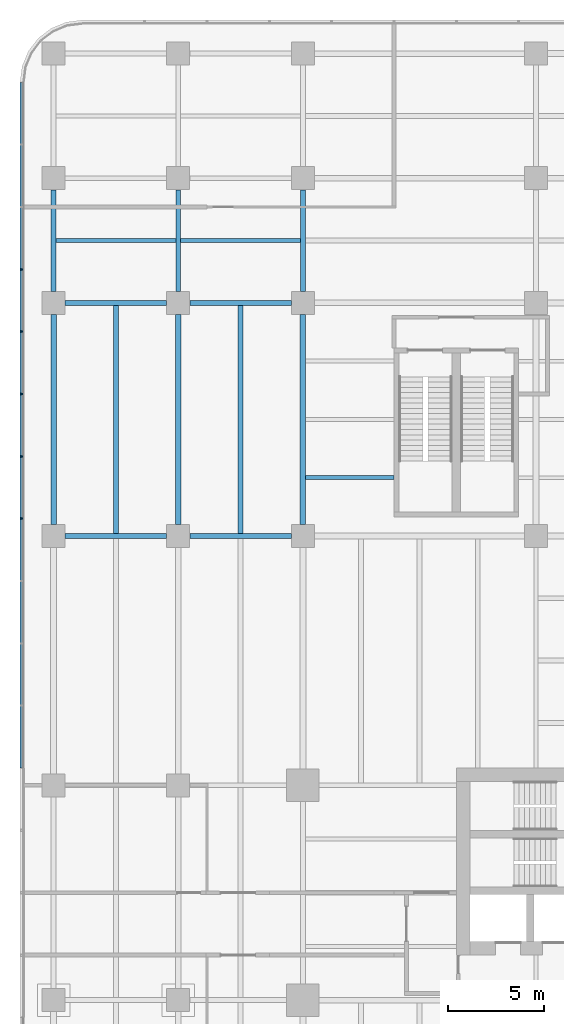
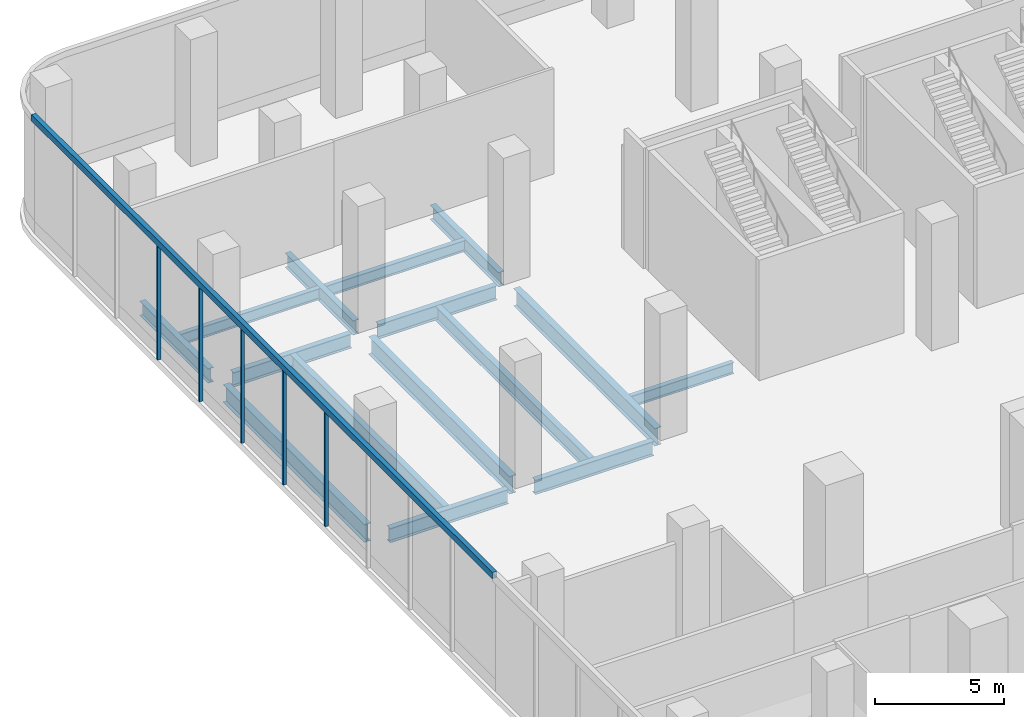
# One storey, part 19 of 41: 15 beams, 6 members, 1 element without a shape of its own.
"""IFC4 building model written with IfcOpenShell, lengths in metres."""

from ifc_helpers import new_model, si_unit, direction, frame, origin, origin_2d, place, context, subcontext, project, spatial, polyline, rectangle, i_section, outline, extrude, source, transform, mapped, material, layer, layer_set, material_profile, profile_set, type_object, element, aggregate, save


model = new_model("IFC4")

# Units and contexts
model_context = context("Model", 3, precision=1e-05, world=origin(), true_north=direction((0.0, 1.0)))
body_context = subcontext(model_context, "Body", "Model", "MODEL_VIEW")
ifc_project = project(units=[si_unit("LENGTHUNIT", "METRE"), si_unit("AREAUNIT", "SQUARE_METRE"), si_unit("VOLUMEUNIT", "CUBIC_METRE"), si_unit("PLANEANGLEUNIT", "RADIAN"), si_unit("MASSUNIT", "GRAM", prefix="KILO")], contexts=[model_context])

# Site, building, storey
site_placement = place(None, origin())
site = spatial("IfcSite", under=ifc_project, at=site_placement, CompositionType="ELEMENT")
building_placement = place(site_placement, origin())
building = spatial("IfcBuilding", under=site, at=building_placement, Name="Trellis Farm Tower", CompositionType="ELEMENT")
storey_placement = place(building_placement, frame((0.0, 0.0, 8.0)))
storey = spatial("IfcBuildingStorey", under=building, at=storey_placement, Name="L01", CompositionType="ELEMENT", Elevation=8.0)

# Curtain wall, member
ifc_material_1 = material(Name="Aluminium and glass curtain wall", Category="aluminium")
ifc_layer_1 = layer(ifc_material_1, 0.201904296875)
ifc_layer_set_1 = layer_set([ifc_layer_1], Name="SHOPFRONT CURTAIN WALL CW2")
curtain_wall_type = type_object("IfcCurtainWallType", Name="SHOPFRONT CURTAIN WALL CW2", PredefinedType="NOTDEFINED", material=ifc_layer_set_1)
curtain_wall_placement = place(storey_placement, origin())
curtain_wall = element("IfcCurtainWall", 1, at=curtain_wall_placement, inside=storey, type_object=curtain_wall_type, Name="CW2 005", PredefinedType="NOTDEFINED")
ifc_material_2 = material(Name="Aluminium extrusion 6063-T6", Category="aluminium")
ifc_layer_2 = layer(ifc_material_2, 0.205078125)
ifc_layer_set_2 = layer_set([ifc_layer_2], Name="Aluminium extrusion 6063-T6")
member_type_1 = type_object("IfcMemberType", Name="CW2 TRANSOM 205x300", PredefinedType="USERDEFINED", material=ifc_layer_set_2)
member_1_placement = place(storey_placement, frame((0.0, 0.0, 5.39990234375)))
member_1 = element("IfcMember", 2, at=member_1_placement, type_object=member_type_1, Name="TR2 005", ObjectType="TRANSOM", PredefinedType="USERDEFINED", context=body_context, shape_type="SweptSolid", body=[
    extrude(outline(polyline([(-45.5, 42.25), (-45.5, 6.5), (-45.294921875, 6.5), (-45.294921875, 42.236572265625), (-45.5, 42.25)])), origin(), (0.0, 0.0, 1.0), 0.300048828125),
])

# Beams
ifc_material_3 = material(Name="Steel S355", Category="steel")
ifc_material_profile_1 = material_profile(ifc_material_3, i_section(OverallWidth=0.253662109375, OverallDepth=0.68359375, WebThickness=0.012451171875, FlangeThickness=0.021728515625, FilletRadius=0.01513671875, at=origin_2d()), Name="UB 686x254x140")
ifc_profile_set_1 = profile_set([ifc_material_profile_1], Name="Steel S355")
beam_type_1 = type_object("IfcBeamType", Name="UB 686x254x140", PredefinedType="BEAM", material=ifc_profile_set_1)
shared_shape_1 = source(origin(), body_context, "Body", "SweptSolid", [
    extrude(i_section(OverallWidth=0.253662109375, OverallDepth=0.68359375, WebThickness=0.012451171875, FlangeThickness=0.021728515625, FilletRadius=0.01513671875, at=origin_2d()), origin(), (0.0, 0.0, 1.0), 5.2998046875),
])
for number, where, z_axis, x_axis, name in (
    (3, (-43.14990234375, 18.60009765625, -0.641845703125), (1.0, 0.0, 0.0), (0.0, 1.0, 0.0), "Girder"),
    (4, (-36.64990234375, 18.60009765625, -0.641845703125), (1.0, 0.0, 0.0), (0.0, 1.0, 0.0), "Girder"),
    (5, (-43.14990234375, 30.75, -0.641845703125), (1.0, 0.0, 0.0), (0.0, 1.0, 0.0), "Girder"),
    (6, (-36.64990234375, 30.75, -0.641845703125), (1.0, 0.0, 0.0), (0.0, 1.0, 0.0), "Girder"),
    (7, (-43.75, 31.35009765625, -0.641845703125), (0.0, 1.0, 0.0), (-1.0, 0.0, 0.0), "Girder"),
    (8, (-37.25, 31.35009765625, -0.641845703125), (0.0, 1.0, 0.0), (-1.0, 0.0, 0.0), "Girder"),
    (9, (-30.75, 31.35009765625, -0.641845703125), (0.0, 1.0, 0.0), (-1.0, 0.0, 0.0), "Girder"),
):
    element("IfcBeam", number, at=place(storey_placement, frame(where, z_axis=z_axis, x_axis=x_axis)), inside=storey, type_object=beam_type_1, Name=name, PredefinedType="BEAM", context=body_context, shape_type="MappedRepresentation", body=[
        mapped(shared_shape_1, transform((0.0, 0.0, 0.0))),
    ])
ifc_material_profile_2 = material_profile(ifc_material_3, i_section(OverallWidth=0.29248046875, OverallDepth=0.8408203125, WebThickness=0.0146484375, FlangeThickness=0.021728515625, FilletRadius=0.017822265625, at=origin_2d()), Name="UB 838x292x194")
ifc_profile_set_2 = profile_set([ifc_material_profile_2], Name="Steel S355")
beam_type_2 = type_object("IfcBeamType", Name="UB 838x292x194", PredefinedType="BEAM", material=ifc_profile_set_2)
shared_shape_2 = source(origin(), body_context, "Body", "SweptSolid", [
    extrude(i_section(OverallWidth=0.29248046875, OverallDepth=0.8408203125, WebThickness=0.0146484375, FlangeThickness=0.021728515625, FilletRadius=0.017822265625, at=origin_2d()), origin(), (0.0, 0.0, 1.0), 10.949951171875),
])
for number, where, z_axis, x_axis, name in (
    (10, (-43.75, 19.199951171875, -0.72021484375), (0.0, 1.0, 0.0), (-1.0, 0.0, 0.0), "Girder"),
    (11, (-37.25, 19.199951171875, -0.72021484375), (0.0, 1.0, 0.0), (-1.0, 0.0, 0.0), "Girder"),
    (12, (-30.75, 19.199951171875, -0.72021484375), (0.0, 1.0, 0.0), (-1.0, 0.0, 0.0), "Girder"),
):
    element("IfcBeam", number, at=place(storey_placement, frame(where, z_axis=z_axis, x_axis=x_axis)), inside=storey, type_object=beam_type_2, Name=name, PredefinedType="BEAM", context=body_context, shape_type="MappedRepresentation", body=[
        mapped(shared_shape_2, transform((0.0, 0.0, 0.0))),
    ])
ifc_material_profile_3 = material_profile(ifc_material_3, i_section(OverallWidth=0.253662109375, OverallDepth=0.68359375, WebThickness=0.012451171875, FlangeThickness=0.021728515625, FilletRadius=0.01513671875, at=origin_2d()), Name="UB 686x254x140")
ifc_profile_set_3 = profile_set([ifc_material_profile_3], Name="Steel S355")
beam_type_3 = type_object("IfcBeamType", Name="UB 686x254x140 joist", PredefinedType="JOIST", material=ifc_profile_set_3)
shared_shape_3 = source(origin(), body_context, "Body", "SweptSolid", [
    extrude(i_section(OverallWidth=0.253662109375, OverallDepth=0.68359375, WebThickness=0.012451171875, FlangeThickness=0.021728515625, FilletRadius=0.01513671875, at=origin_2d()), origin(), (0.0, 0.0, 1.0), 11.896240234375),
])
for number, where, z_axis, x_axis, name in (
    (13, (-40.5, 18.726806640625, -0.641845703125), (0.0, 1.0, 0.0), (-1.0, 0.0, 0.0), "Floor beam"),
    (14, (-34.0, 18.726806640625, -0.641845703125), (0.0, 1.0, 0.0), (-1.0, 0.0, 0.0), "Floor beam"),
):
    element("IfcBeam", number, at=place(storey_placement, frame(where, z_axis=z_axis, x_axis=x_axis)), inside=storey, type_object=beam_type_3, Name=name, PredefinedType="JOIST", context=body_context, shape_type="MappedRepresentation", body=[
        mapped(shared_shape_3, transform((0.0, 0.0, 0.0))),
    ])
ifc_material_profile_4 = material_profile(ifc_material_3, i_section(OverallWidth=0.209228515625, OverallDepth=0.533203125, WebThickness=0.010009765625, FlangeThickness=0.015625, FilletRadius=0.0126953125, at=origin_2d()), Name="UB 533x210x92")
ifc_profile_set_4 = profile_set([ifc_material_profile_4], Name="Steel S355")
beam_type_4 = type_object("IfcBeamType", Name="UB 533x210x92 joist", PredefinedType="JOIST", material=ifc_profile_set_4)
shared_shape_4 = source(origin(), body_context, "Body", "SweptSolid", [
    extrude(i_section(OverallWidth=0.209228515625, OverallDepth=0.533203125, WebThickness=0.010009765625, FlangeThickness=0.015625, FilletRadius=0.0126953125, at=origin_2d()), origin(), (0.0, 0.0, 1.0), 6.246337890625),
])
beam_1_placement = place(storey_placement, frame((-37.123291015625, 34.0, -0.56640625), z_axis=(1.0, 0.0, 0.0), x_axis=(0.0, 1.0, 0.0)))
element("IfcBeam", 15, at=beam_1_placement, inside=storey, type_object=beam_type_4, Name="Floor beam", PredefinedType="JOIST", context=body_context, shape_type="MappedRepresentation", body=[
    mapped(shared_shape_4, transform((0.0, 0.0, 0.0))),
])
shared_shape_5 = source(origin(), body_context, "Body", "SweptSolid", [
    extrude(i_section(OverallWidth=0.209228515625, OverallDepth=0.533203125, WebThickness=0.010009765625, FlangeThickness=0.015625, FilletRadius=0.0126953125, at=origin_2d()), origin(), (0.0, 0.0, 1.0), 6.24658203125),
])
beam_2_placement = place(storey_placement, frame((-43.623291015625, 34.0, -0.56640625), z_axis=(1.0, 0.0, 0.0), x_axis=(0.0, 1.0, 0.0)))
element("IfcBeam", 16, at=beam_2_placement, inside=storey, type_object=beam_type_4, Name="Floor beam", PredefinedType="JOIST", context=body_context, shape_type="MappedRepresentation", body=[
    mapped(shared_shape_5, transform((0.0, 0.0, 0.0))),
])
shared_shape_6 = source(origin(), body_context, "Body", "SweptSolid", [
    extrude(i_section(OverallWidth=0.209228515625, OverallDepth=0.533203125, WebThickness=0.010009765625, FlangeThickness=0.015625, FilletRadius=0.0126953125, at=origin_2d()), origin(), (0.0, 0.0, 1.0), 4.603759765625),
])
beam_3_placement = place(storey_placement, frame((-30.603759765625, 21.637451171875, -0.56640625), z_axis=(1.0, 0.0, 0.0), x_axis=(0.0, 1.0, 0.0)))
element("IfcBeam", 17, at=beam_3_placement, inside=storey, type_object=beam_type_4, Name="Floor beam", PredefinedType="JOIST", context=body_context, shape_type="MappedRepresentation", body=[
    mapped(shared_shape_6, transform((0.0, 0.0, 0.0))),
])

# Member
ifc_material_profile_5 = material_profile(ifc_material_2, rectangle(XDim=0.080078125, YDim=0.14990234375, at=origin_2d()), Name="MULLION 80x150")
ifc_profile_set_5 = profile_set([ifc_material_profile_5], Name="Aluminium extrusion 6063-T6")
member_type_2 = type_object("IfcMemberType", Name="CW2 MULLION 80x150", PredefinedType="MULLION", material=ifc_profile_set_5)
shared_shape_7 = source(origin(), body_context, "Body", "SweptSolid", [
    extrude(rectangle(XDim=0.080078125, YDim=0.14990234375, at=origin_2d()), origin(), (0.0, 0.0, 1.0), 5.39990234375),
])
member_2_placement = place(storey_placement, frame((-45.425048828125, 32.5, 0.0), z_axis=(0.0, 0.0, 1.0), x_axis=(0.0, -1.0, 0.0)))
member_2 = element("IfcMember", 18, at=member_2_placement, type_object=member_type_2, Name="MU2 005-03", PredefinedType="MULLION", context=body_context, shape_type="MappedRepresentation", body=[
    mapped(shared_shape_7, transform((0.0, 0.0, 0.0))),
])

member_3_placement = place(storey_placement, frame((-45.425048828125, 29.25, 0.0), z_axis=(0.0, 0.0, 1.0), x_axis=(0.0, -1.0, 0.0)))
member_3 = element("IfcMember", 19, at=member_3_placement, type_object=member_type_2, Name="MU2 005-04", PredefinedType="MULLION", context=body_context, shape_type="MappedRepresentation", body=[
    mapped(shared_shape_7, transform((0.0, 0.0, 0.0))),
])

member_4_placement = place(storey_placement, frame((-45.425048828125, 26.0, 0.0), z_axis=(0.0, 0.0, 1.0), x_axis=(0.0, -1.0, 0.0)))
member_4 = element("IfcMember", 20, at=member_4_placement, type_object=member_type_2, Name="MU2 005-05", PredefinedType="MULLION", context=body_context, shape_type="MappedRepresentation", body=[
    mapped(shared_shape_7, transform((0.0, 0.0, 0.0))),
])

member_5_placement = place(storey_placement, frame((-45.425048828125, 22.75, 0.0), z_axis=(0.0, 0.0, 1.0), x_axis=(0.0, -1.0, 0.0)))
member_5 = element("IfcMember", 21, at=member_5_placement, type_object=member_type_2, Name="MU2 005-06", PredefinedType="MULLION", context=body_context, shape_type="MappedRepresentation", body=[
    mapped(shared_shape_7, transform((0.0, 0.0, 0.0))),
])

member_6_placement = place(storey_placement, frame((-45.425048828125, 19.5, 0.0), z_axis=(0.0, 0.0, 1.0), x_axis=(0.0, -1.0, 0.0)))
member_6 = element("IfcMember", 22, at=member_6_placement, type_object=member_type_2, Name="MU2 005-07", PredefinedType="MULLION", context=body_context, shape_type="MappedRepresentation", body=[
    mapped(shared_shape_7, transform((0.0, 0.0, 0.0))),
])

aggregate(curtain_wall, [member_2, member_3, member_4, member_5, member_6, member_1])

save(model, "model.ifc")
